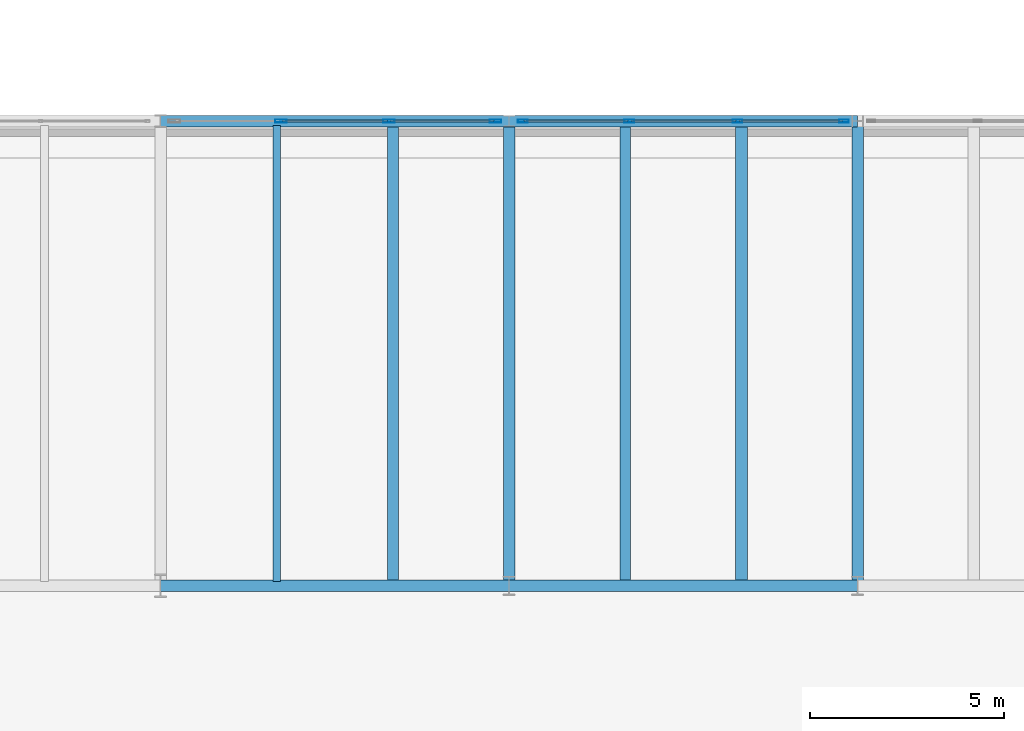
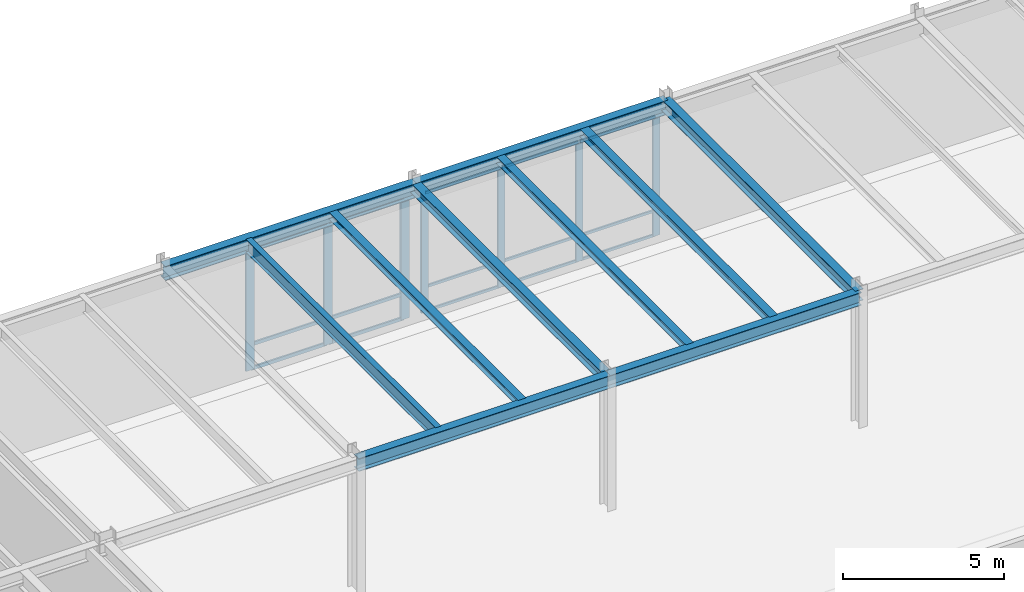
# One storey, part 66 of 143: 22 members, 10 beams, 2 elements without a shape of their own.
"""IFC4 building model written with IfcOpenShell, lengths in metres."""

import ifcopenshell
import ifcopenshell.guid

model = None  # the IFC model being written
_history = None  # IfcOwnerHistory: only IFC2X3 demands one
_inside = {}  # id of a spatial element -> (the spatial element, [elements in it])
_under = {}  # id of a project, library or spatial element -> (it, [spatial elements below it])
_declared = {}  # id of a project -> (the project, [libraries it declares])
_typed = {}  # id of a type object -> (the type object, [elements of that type])
_made_of = {}  # id of a material, layer set ... -> (it, [elements and type objects made of it])


def new_model(schema):
    """Start an empty IFC model of exactly this schema.

    Asked for "IFC4X3", IfcOpenShell would pick the latest addendum, in which some entities
    have other attributes; the version numbers below select the first issue.
    IFC2X3 requires an IfcOwnerHistory on every rooted entity: one is made here for all.
    """
    global model, _history
    if schema == "IFC4X3":
        model = ifcopenshell.file(schema_version=(4, 3, 0, 0))
    else:
        model = ifcopenshell.file(schema=schema)
    _inside.clear()
    _under.clear()
    _declared.clear()
    _typed.clear()
    _made_of.clear()
    _history = None
    if model.schema == "IFC2X3":
        org = make("IfcOrganization", Name="unknown")
        user = make(
            "IfcPersonAndOrganization",
            ThePerson=make("IfcPerson", FamilyName="unknown"),
            TheOrganization=org,
        )
        app = make(
            "IfcApplication",
            ApplicationDeveloper=org,
            Version="unknown",
            ApplicationFullName="unknown",
            ApplicationIdentifier="unknown",
        )
        _history = make(
            "IfcOwnerHistory",
            OwningUser=user,
            OwningApplication=app,
            ChangeAction="ADDED",
            CreationDate=0,
        )
    return model


def make(cls, **values):
    """One entity of the class cls with the attributes given. An attribute that is None is left unset."""
    return model.create_entity(
        cls, **{name: value for name, value in values.items() if value is not None}
    )


def rooted(cls, **values):
    """An entity with a GlobalId (a new one), such as an element, a storey or a relation."""
    return make(cls, GlobalId=ifcopenshell.guid.new(), OwnerHistory=_history, **values)


def si_unit(unit_type, name, prefix=None):
    """IfcSIUnit, for example si_unit("LENGTHUNIT", "METRE", prefix="MILLI")."""
    return make("IfcSIUnit", UnitType=unit_type, Prefix=prefix, Name=name)


def assignment(units):
    """IfcUnitAssignment: the units of a project."""
    return None if units is None else make("IfcUnitAssignment", Units=units)


def point(xyz):
    """IfcCartesianPoint."""
    return None if xyz is None else make("IfcCartesianPoint", Coordinates=xyz)


def direction(xyz):
    """IfcDirection."""
    return None if xyz is None else make("IfcDirection", DirectionRatios=xyz)


def frame(location, z_axis=None, x_axis=None):
    """IfcAxis2Placement3D, a coordinate frame: its origin and axes. An axis left out is left unset."""
    return make(
        "IfcAxis2Placement3D",
        Location=point(location),
        Axis=direction(z_axis),
        RefDirection=direction(x_axis),
    )


def frame_2d(location, x_axis=None):
    """IfcAxis2Placement2D, a coordinate frame in the plane: its origin and x axis."""
    return make(
        "IfcAxis2Placement2D", Location=point(location), RefDirection=direction(x_axis)
    )


def origin():
    """The frame at (0, 0, 0) with its axes left unset."""
    return frame((0.0, 0.0, 0.0))


def origin_2d():
    """The frame at (0, 0) in the plane with its x axis left unset."""
    return frame_2d((0.0, 0.0))


def place(relative_to, where):
    """IfcLocalPlacement: puts the frame where relative to a parent placement (None: the world)."""
    return make(
        "IfcLocalPlacement", PlacementRelTo=relative_to, RelativePlacement=where
    )


def context(
    kind, dimensions, precision=None, world=None, true_north=None, identifier=None
):
    """IfcGeometricRepresentationContext, for example the 3D "Model" context."""
    return make(
        "IfcGeometricRepresentationContext",
        ContextIdentifier=identifier,
        ContextType=kind,
        CoordinateSpaceDimension=dimensions,
        Precision=precision,
        WorldCoordinateSystem=world,
        TrueNorth=true_north,
    )


def subcontext(parent, identifier, kind, view, scale=None):
    """IfcGeometricRepresentationSubContext, for example "Body" below "Model"."""
    return make(
        "IfcGeometricRepresentationSubContext",
        ContextIdentifier=identifier,
        ContextType=kind,
        ParentContext=parent,
        TargetScale=scale,
        TargetView=view,
    )


def project(units=None, contexts=None):
    """IfcProject with its units and contexts."""
    return rooted(
        "IfcProject",
        Name="project",
        RepresentationContexts=contexts,
        UnitsInContext=assignment(units),
    )


def spatial(cls, under=None, at=None, **own):
    """A site, building, storey or space (cls), placed at a placement, below another one or the project."""
    s = rooted(cls, ObjectPlacement=at, **own)
    if under is not None:
        _under.setdefault(under.id(), (under, []))[1].append(s)
    return s


def profile(cls, at=None, kind="AREA", **sizes):
    """A parametric profile (cls). Its sizes go by their IFC names, for example OverallWidth=200.0."""
    return make(cls, ProfileType=kind, Position=at, **sizes)


def hollow_rectangle(**sizes):
    """IfcRectangleHollowProfileDef."""
    return profile("IfcRectangleHollowProfileDef", **sizes)


def i_section(**sizes):
    """IfcIShapeProfileDef."""
    return profile("IfcIShapeProfileDef", **sizes)


def extrude(swept, where, along, depth):
    """IfcExtrudedAreaSolid: the profile swept, set in the frame where, extruded along a direction by depth."""
    return make(
        "IfcExtrudedAreaSolid",
        SweptArea=swept,
        Position=where,
        ExtrudedDirection=direction(along),
        Depth=depth,
    )


def shape(context_of_items, identifier, shape_type, items):
    """IfcShapeRepresentation: the items that make up one representation, for example the "Body"."""
    return make(
        "IfcShapeRepresentation",
        ContextOfItems=context_of_items,
        RepresentationIdentifier=identifier,
        RepresentationType=shape_type,
        Items=items,
    )


def material(Name=None, Category=None):
    """IfcMaterial."""
    return make("IfcMaterial", Name=Name, Category=Category)


def layer(
    of_material, thickness, ventilated=None, Name=None, Category=None, Priority=None
):
    """IfcMaterialLayer: one layer of a wall or slab, of a material (None: an air gap)."""
    return make(
        "IfcMaterialLayer",
        Material=of_material,
        LayerThickness=thickness,
        IsVentilated=ventilated,
        Name=Name,
        Category=Category,
        Priority=Priority,
    )


def layer_set(layers, Name=None):
    """IfcMaterialLayerSet."""
    return make("IfcMaterialLayerSet", MaterialLayers=layers, LayerSetName=Name)


def material_profile(
    of_material, cross_section, Name=None, Category=None, Priority=None
):
    """IfcMaterialProfile: a cross section and its material."""
    return make(
        "IfcMaterialProfile",
        Name=Name,
        Material=of_material,
        Profile=cross_section,
        Priority=Priority,
        Category=Category,
    )


def profile_set(profiles, Name=None, composite=None):
    """IfcMaterialProfileSet."""
    return make(
        "IfcMaterialProfileSet",
        Name=Name,
        MaterialProfiles=profiles,
        CompositeProfile=composite,
    )


def made_of(thing, what):
    """Note that an element or type object is made of a material, layer set ...; save() writes the relation."""
    if what is not None:
        _made_of.setdefault(what.id(), (what, []))[1].append(thing)
    return thing


def type_object(cls, material=None, **own):
    """A type object (cls), such as IfcWallType, which elements share."""
    return made_of(rooted(cls, **own), material)


def element(
    cls,
    number,
    at=None,
    inside=None,
    cuts=None,
    type_object=None,
    material=None,
    context=None,
    identifier="Body",
    shape_type=None,
    held_by="IfcProductDefinitionShape",
    body=None,
    shapes=None,
    **own,
):
    """One element of the class cls, such as IfcWall. Its Tag is "e" and its number.

    at: its placement. inside: the storey or other place that contains it. cuts: it is an
    opening in that element (IfcRelVoidsElement). A single representation is given by context,
    identifier, shape_type and body (its items); several are given by shapes. held_by: the class
    of the entity that holds the representations. save() writes the other relations.
    """
    e = rooted(cls, Tag="e%d" % number, ObjectPlacement=at, **own)
    if body is not None:
        shapes = [shape(context, identifier, shape_type, body)]
    if shapes is not None:
        e.Representation = make(held_by, Representations=shapes)
    if inside is not None:
        _inside.setdefault(inside.id(), (inside, []))[1].append(e)
    if cuts is not None:
        rooted(
            "IfcRelVoidsElement", RelatingBuildingElement=cuts, RelatedOpeningElement=e
        )
    if type_object is not None:
        _typed.setdefault(type_object.id(), (type_object, []))[1].append(e)
    return made_of(e, material)


def aggregate(whole, parts):
    """IfcRelAggregates: a whole, such as a stair, and the parts it consists of."""
    return rooted("IfcRelAggregates", RelatingObject=whole, RelatedObjects=parts)


def save(model, path):
    """Write the relations noted so far, then the file.

    IfcRelAggregates (storeys below a building ...), IfcRelContainedInSpatialStructure (elements
    in a storey), IfcRelDefinesByType, IfcRelAssociatesMaterial and IfcRelDeclares: one each for
    every whole, place, type object, material and project.
    """
    for whole, parts in _under.values():
        aggregate(whole, parts)
    for where, things in _inside.values():
        rooted(
            "IfcRelContainedInSpatialStructure",
            RelatedElements=things,
            RelatingStructure=where,
        )
    for kind, things in _typed.values():
        rooted("IfcRelDefinesByType", RelatedObjects=things, RelatingType=kind)
    for what, things in _made_of.values():
        rooted("IfcRelAssociatesMaterial", RelatedObjects=things, RelatingMaterial=what)
    for by, libraries in _declared.values():
        rooted("IfcRelDeclares", RelatingContext=by, RelatedDefinitions=libraries)
    model.write(path)


model = new_model("IFC4")

# Units and contexts
model_context = context("Model", 3, precision=1e-05, world=origin(), true_north=direction((0.0, 1.0)))
body_context = subcontext(model_context, "Body", "Model", "MODEL_VIEW")
ifc_project = project(units=[si_unit("LENGTHUNIT", "METRE"), si_unit("AREAUNIT", "SQUARE_METRE"), si_unit("VOLUMEUNIT", "CUBIC_METRE"), si_unit("PLANEANGLEUNIT", "RADIAN"), si_unit("MASSUNIT", "GRAM", prefix="KILO")], contexts=[model_context])

# Site, building, storey
site_placement = place(None, origin())
site = spatial("IfcSite", under=ifc_project, at=site_placement, CompositionType="ELEMENT")
building_placement = place(site_placement, origin())
building = spatial("IfcBuilding", under=site, at=building_placement, Name="Montelvaro Courts of Justice", CompositionType="ELEMENT")
storey_placement = place(building_placement, origin())
storey = spatial("IfcBuildingStorey", under=building, at=storey_placement, Name="L00", CompositionType="ELEMENT", Elevation=0.0)

# Beams
ifc_material_1 = material(Name="Steel S355", Category="steel")
ifc_material_profile_1 = material_profile(ifc_material_1, i_section(OverallWidth=0.280029296875, OverallDepth=0.27001953125, WebThickness=0.008056640625, FlangeThickness=0.012939453125, at=origin_2d()), Name="HEA 280")
ifc_profile_set_1 = profile_set([ifc_material_profile_1], Name="Steel S355")
beam_type_1 = type_object("IfcBeamType", Name="Beam_HEA280", PredefinedType="BEAM", material=ifc_profile_set_1)
for number, where, z_axis, x_axis, name in (
    (1, (51.0, 96.110107421875, 4.945068359375), (0.0, 1.0, 0.0), (-1.0, 0.0, 0.0), "Beam B-14 L00"),
    (2, (57.0, 96.110107421875, 4.945068359375), (0.0, 1.0, 0.0), (-1.0, 0.0, 0.0), "Beam B-14 L00"),
):
    element("IfcBeam", number, at=place(storey_placement, frame(where, z_axis=z_axis, x_axis=x_axis)), inside=storey, type_object=beam_type_1, Name=name, PredefinedType="BEAM", context=body_context, shape_type="SweptSolid", body=[
        extrude(i_section(OverallWidth=0.280029296875, OverallDepth=0.27001953125, WebThickness=0.008056640625, FlangeThickness=0.012939453125, at=origin_2d()), origin(), (0.0, 0.0, 1.0), 11.77978515625),
    ])
ifc_material_profile_2 = material_profile(ifc_material_1, i_section(OverallWidth=0.300048828125, OverallDepth=0.31005859375, WebThickness=0.009033203125, FlangeThickness=0.015380859375, at=origin_2d()), Name="HEA 320")
ifc_profile_set_2 = profile_set([ifc_material_profile_2], Name="Steel S355")
beam_type_2 = type_object("IfcBeamType", Name="Beam_HEA320", PredefinedType="BEAM", material=ifc_profile_set_2)
beam_1_placement = place(storey_placement, frame((60.0, 96.110107421875, 4.925048828125), z_axis=(0.0, 1.0, 0.0), x_axis=(-1.0, 0.0, 0.0)))
element("IfcBeam", 3, at=beam_1_placement, inside=storey, type_object=beam_type_2, Name="Beam B-15 L00", PredefinedType="BEAM", context=body_context, shape_type="SweptSolid", body=[
    extrude(i_section(OverallWidth=0.300048828125, OverallDepth=0.31005859375, WebThickness=0.009033203125, FlangeThickness=0.015380859375, at=origin_2d()), origin(), (0.0, 0.0, 1.0), 11.77978515625),
])
ifc_material_profile_3 = material_profile(ifc_material_1, i_section(OverallWidth=0.300048828125, OverallDepth=0.389892578125, WebThickness=0.010986328125, FlangeThickness=0.01904296875, at=origin_2d()), Name="HEA 400")
ifc_profile_set_3 = profile_set([ifc_material_profile_3], Name="Steel S355")
beam_type_3 = type_object("IfcBeamType", Name="Beam_HEA400", PredefinedType="USERDEFINED", material=ifc_profile_set_3)
beam_2_placement = place(storey_placement, frame((54.0, 96.0, 4.885009765625), z_axis=(0.0, 1.0, 0.0), x_axis=(-1.0, 0.0, 0.0)))
element("IfcBeam", 4, at=beam_2_placement, inside=storey, type_object=beam_type_3, Name="Beam B-17 L00", ObjectType="GIRDER", PredefinedType="USERDEFINED", context=body_context, shape_type="SweptSolid", body=[
    extrude(i_section(OverallWidth=0.300048828125, OverallDepth=0.389892578125, WebThickness=0.010986328125, FlangeThickness=0.01904296875, at=origin_2d()), origin(), (0.0, 0.0, 1.0), 12.0),
])
ifc_material_profile_4 = material_profile(ifc_material_1, i_section(OverallWidth=0.300048828125, OverallDepth=0.43994140625, WebThickness=0.011474609375, FlangeThickness=0.02099609375, at=origin_2d()), Name="HEA 450")
ifc_profile_set_4 = profile_set([ifc_material_profile_4], Name="Steel S355")
beam_type_4 = type_object("IfcBeamType", Name="Beam_HEA450", PredefinedType="USERDEFINED", material=ifc_profile_set_4)
beam_3_placement = place(storey_placement, frame((63.0, 96.0, 4.860107421875), z_axis=(0.0, 1.0, 0.0), x_axis=(-1.0, 0.0, 0.0)))
element("IfcBeam", 5, at=beam_3_placement, inside=storey, type_object=beam_type_4, Name="Beam B-18 L00", ObjectType="GIRDER", PredefinedType="USERDEFINED", context=body_context, shape_type="SweptSolid", body=[
    extrude(i_section(OverallWidth=0.300048828125, OverallDepth=0.43994140625, WebThickness=0.011474609375, FlangeThickness=0.02099609375, at=origin_2d()), origin(), (0.0, 0.0, 1.0), 12.0),
])
ifc_material_profile_5 = material_profile(ifc_material_1, i_section(OverallWidth=0.300048828125, OverallDepth=0.489990234375, WebThickness=0.011962890625, FlangeThickness=0.02294921875, at=origin_2d()), Name="HEA 500")
ifc_profile_set_5 = profile_set([ifc_material_profile_5], Name="Steel S355")
beam_type_5 = type_object("IfcBeamType", Name="Beam_HEA500", PredefinedType="USERDEFINED", material=ifc_profile_set_5)
for number, where, z_axis, x_axis, name in (
    (6, (45.0, 96.0, 4.8349609375), (1.0, 0.0, 0.0), (0.0, 1.0, 0.0), "Beam B-19 L00"),
    (7, (54.0, 96.0, 4.8349609375), (1.0, 0.0, 0.0), (0.0, 1.0, 0.0), "Beam B-19 L00"),
):
    element("IfcBeam", number, at=place(storey_placement, frame(where, z_axis=z_axis, x_axis=x_axis)), inside=storey, type_object=beam_type_5, Name=name, ObjectType="GIRDER", PredefinedType="USERDEFINED", context=body_context, shape_type="SweptSolid", body=[
        extrude(i_section(OverallWidth=0.300048828125, OverallDepth=0.489990234375, WebThickness=0.011962890625, FlangeThickness=0.02294921875, at=origin_2d()), origin(), (0.0, 0.0, 1.0), 9.0),
    ])
ifc_material_profile_6 = material_profile(ifc_material_1, i_section(OverallWidth=0.300048828125, OverallDepth=0.5400390625, WebThickness=0.012451171875, FlangeThickness=0.02392578125, at=origin_2d()), Name="HEA 550")
ifc_profile_set_6 = profile_set([ifc_material_profile_6], Name="Steel S355")
beam_type_6 = type_object("IfcBeamType", Name="Beam_HEA550", PredefinedType="USERDEFINED", material=ifc_profile_set_6)
for number, where, z_axis, x_axis, name in (
    (8, (45.0, 108.0, 4.81005859375), (1.0, 0.0, 0.0), (0.0, 1.0, 0.0), "Beam B-20 L00"),
    (9, (54.0, 108.0, 4.81005859375), (1.0, 0.0, 0.0), (0.0, 1.0, 0.0), "Beam B-20 L00"),
):
    element("IfcBeam", number, at=place(storey_placement, frame(where, z_axis=z_axis, x_axis=x_axis)), inside=storey, type_object=beam_type_6, Name=name, ObjectType="GIRDER", PredefinedType="USERDEFINED", context=body_context, shape_type="SweptSolid", body=[
        extrude(i_section(OverallWidth=0.300048828125, OverallDepth=0.5400390625, WebThickness=0.012451171875, FlangeThickness=0.02392578125, at=origin_2d()), origin(), (0.0, 0.0, 1.0), 9.0),
    ])
ifc_material_profile_7 = material_profile(ifc_material_1, i_section(OverallWidth=0.199951171875, OverallDepth=0.5, WebThickness=0.01025390625, FlangeThickness=0.01611328125, at=origin_2d()), Name="IPE 500")
ifc_profile_set_7 = profile_set([ifc_material_profile_7], Name="Steel S355")
beam_type_7 = type_object("IfcBeamType", Name="Beam_IPE500", PredefinedType="BEAM", material=ifc_profile_set_7)
beam_4_placement = place(storey_placement, frame((48.0, 96.110107421875, 4.830078125), z_axis=(0.0, 1.0, 0.0), x_axis=(-1.0, 0.0, 0.0)))
element("IfcBeam", 10, at=beam_4_placement, inside=storey, type_object=beam_type_7, Name="Beam B-10 L00", PredefinedType="BEAM", context=body_context, shape_type="SweptSolid", body=[
    extrude(i_section(OverallWidth=0.199951171875, OverallDepth=0.5, WebThickness=0.01025390625, FlangeThickness=0.01611328125, at=origin_2d()), origin(), (0.0, 0.0, 1.0), 11.77978515625),
])

# Curtain wall, members
ifc_material_2 = material(Name="Anodised aluminium EN AW-6063", Category="aluminium")
ifc_layer = layer(ifc_material_2, 0.159912109375)
ifc_layer_set = layer_set([ifc_layer], Name="Anodised aluminium EN AW-6063")
curtain_wall_type = type_object("IfcCurtainWallType", Name="CurtainWall_05_837x508", PredefinedType="USERDEFINED", material=ifc_layer_set)
curtain_wall_1_placement = place(storey_placement, origin())
curtain_wall_1 = element("IfcCurtainWall", 11, at=curtain_wall_1_placement, inside=storey, type_object=curtain_wall_type, Name="Curtain Wall CW-05 (L00)", ObjectType="CURTAIN WALL", PredefinedType="USERDEFINED")
ifc_material_profile_8 = material_profile(ifc_material_2, hollow_rectangle(XDim=0.074951171875, YDim=0.25, WallThickness=0.005615234375, at=origin_2d()), Name="ALU-M 75x250")
ifc_profile_set_8 = profile_set([ifc_material_profile_8], Name="Anodised aluminium EN AW-6063")
member_type_1 = type_object("IfcMemberType", Name="CurtainWall_Mullion_75x250", PredefinedType="MULLION", material=ifc_profile_set_8)
member_1_placement = place(storey_placement, frame((62.6474609375, 108.0, 0.0), z_axis=(0.0, 0.0, 1.0), x_axis=(0.0, -1.0, 0.0)))
member_1 = element("IfcMember", 12, at=member_1_placement, type_object=member_type_1, Name="CW-05 mullion 1", PredefinedType="MULLION", context=body_context, shape_type="SweptSolid", body=[
    extrude(hollow_rectangle(XDim=0.074951171875, YDim=0.25, WallThickness=0.005615234375, at=origin_2d()), origin(), (0.0, 0.0, 1.0), 4.534912109375),
])
member_2_placement = place(storey_placement, frame((59.89501953125, 108.0, 0.0), z_axis=(0.0, 0.0, 1.0), x_axis=(0.0, -1.0, 0.0)))
member_2 = element("IfcMember", 13, at=member_2_placement, type_object=member_type_1, Name="CW-05 mullion 2", PredefinedType="MULLION", context=body_context, shape_type="SweptSolid", body=[
    extrude(hollow_rectangle(XDim=0.074951171875, YDim=0.25, WallThickness=0.005615234375, at=origin_2d()), origin(), (0.0, 0.0, 1.0), 4.534912109375),
])
member_3_placement = place(storey_placement, frame((57.10498046875, 108.0, 0.0), z_axis=(0.0, 0.0, 1.0), x_axis=(0.0, -1.0, 0.0)))
member_3 = element("IfcMember", 14, at=member_3_placement, type_object=member_type_1, Name="CW-05 mullion 3", PredefinedType="MULLION", context=body_context, shape_type="SweptSolid", body=[
    extrude(hollow_rectangle(XDim=0.074951171875, YDim=0.25, WallThickness=0.005615234375, at=origin_2d()), origin(), (0.0, 0.0, 1.0), 4.534912109375),
])
member_4_placement = place(storey_placement, frame((54.3525390625, 108.0, 0.0), z_axis=(0.0, 0.0, 1.0), x_axis=(0.0, -1.0, 0.0)))
member_4 = element("IfcMember", 15, at=member_4_placement, type_object=member_type_1, Name="CW-05 mullion 4", PredefinedType="MULLION", context=body_context, shape_type="SweptSolid", body=[
    extrude(hollow_rectangle(XDim=0.074951171875, YDim=0.25, WallThickness=0.005615234375, at=origin_2d()), origin(), (0.0, 0.0, 1.0), 4.534912109375),
])

curtain_wall_2_placement = place(storey_placement, origin())
curtain_wall_2 = element("IfcCurtainWall", 16, at=curtain_wall_2_placement, inside=storey, type_object=curtain_wall_type, Name="Curtain Wall CW-05 (L00)", ObjectType="CURTAIN WALL", PredefinedType="USERDEFINED")
ifc_material_profile_9 = material_profile(ifc_material_2, hollow_rectangle(XDim=0.074951171875, YDim=0.300048828125, WallThickness=0.006103515625, at=origin_2d()), Name="ALU-M 75x300")
ifc_profile_set_9 = profile_set([ifc_material_profile_9], Name="Anodised aluminium EN AW-6063")
member_type_2 = type_object("IfcMemberType", Name="CurtainWall_Mullion_75x300", PredefinedType="MULLION", material=ifc_profile_set_9)
member_5_placement = place(storey_placement, frame((53.6474609375, 108.0, 0.0), z_axis=(0.0, 0.0, 1.0), x_axis=(0.0, -1.0, 0.0)))
member_5 = element("IfcMember", 17, at=member_5_placement, type_object=member_type_2, Name="CW-05 mullion 1", PredefinedType="MULLION", context=body_context, shape_type="SweptSolid", body=[
    extrude(hollow_rectangle(XDim=0.074951171875, YDim=0.300048828125, WallThickness=0.006103515625, at=origin_2d()), origin(), (0.0, 0.0, 1.0), 4.534912109375),
])
member_6_placement = place(storey_placement, frame((50.89501953125, 108.0, 0.0), z_axis=(0.0, 0.0, 1.0), x_axis=(0.0, -1.0, 0.0)))
member_6 = element("IfcMember", 18, at=member_6_placement, type_object=member_type_2, Name="CW-05 mullion 2", PredefinedType="MULLION", context=body_context, shape_type="SweptSolid", body=[
    extrude(hollow_rectangle(XDim=0.074951171875, YDim=0.300048828125, WallThickness=0.006103515625, at=origin_2d()), origin(), (0.0, 0.0, 1.0), 4.534912109375),
])
member_7_placement = place(storey_placement, frame((48.10498046875, 108.0, 0.0), z_axis=(0.0, 0.0, 1.0), x_axis=(0.0, -1.0, 0.0)))
member_7 = element("IfcMember", 19, at=member_7_placement, type_object=member_type_2, Name="CW-05 mullion 3", PredefinedType="MULLION", context=body_context, shape_type="SweptSolid", body=[
    extrude(hollow_rectangle(XDim=0.074951171875, YDim=0.300048828125, WallThickness=0.006103515625, at=origin_2d()), origin(), (0.0, 0.0, 1.0), 4.534912109375),
])

# Member
ifc_material_profile_10 = material_profile(ifc_material_2, hollow_rectangle(XDim=0.06005859375, YDim=0.10009765625, WallThickness=0.00341796875, at=origin_2d()), Name="ALU-T 60x100")
ifc_profile_set_10 = profile_set([ifc_material_profile_10], Name="Anodised aluminium EN AW-6063")
member_type_3 = type_object("IfcMemberType", Name="CurtainWall_Transom_60x100", PredefinedType="USERDEFINED", material=ifc_profile_set_10)
member_8_placement = place(storey_placement, frame((62.610107421875, 108.0, 0.030029296875), z_axis=(-1.0, 0.0, 0.0), x_axis=(0.0, -1.0, 0.0)))
member_8 = element("IfcMember", 20, at=member_8_placement, type_object=member_type_3, Name="CW-05 transom 1.1", ObjectType="TRANSOM", PredefinedType="USERDEFINED", context=body_context, shape_type="SweptSolid", body=[
    extrude(hollow_rectangle(XDim=0.06005859375, YDim=0.10009765625, WallThickness=0.00341796875, at=origin_2d()), origin(), (0.0, 0.0, 1.0), 2.677490234375),
])

member_9_placement = place(storey_placement, frame((62.610107421875, 108.0, 0.949951171875), z_axis=(-1.0, 0.0, 0.0), x_axis=(0.0, -1.0, 0.0)))
member_9 = element("IfcMember", 21, at=member_9_placement, type_object=member_type_3, Name="CW-05 transom 1.2", ObjectType="TRANSOM", PredefinedType="USERDEFINED", context=body_context, shape_type="SweptSolid", body=[
    extrude(hollow_rectangle(XDim=0.06005859375, YDim=0.10009765625, WallThickness=0.00341796875, at=origin_2d()), origin(), (0.0, 0.0, 1.0), 2.677490234375),
])

member_10_placement = place(storey_placement, frame((62.610107421875, 108.0, 4.5048828125), z_axis=(-1.0, 0.0, 0.0), x_axis=(0.0, -1.0, 0.0)))
member_10 = element("IfcMember", 22, at=member_10_placement, type_object=member_type_3, Name="CW-05 transom 1.3", ObjectType="TRANSOM", PredefinedType="USERDEFINED", context=body_context, shape_type="SweptSolid", body=[
    extrude(hollow_rectangle(XDim=0.06005859375, YDim=0.10009765625, WallThickness=0.00341796875, at=origin_2d()), origin(), (0.0, 0.0, 1.0), 2.677490234375),
])

member_11_placement = place(storey_placement, frame((59.857421875, 108.0, 0.030029296875), z_axis=(-1.0, 0.0, 0.0), x_axis=(0.0, -1.0, 0.0)))
member_11 = element("IfcMember", 23, at=member_11_placement, type_object=member_type_3, Name="CW-05 transom 2.1", ObjectType="TRANSOM", PredefinedType="USERDEFINED", context=body_context, shape_type="SweptSolid", body=[
    extrude(hollow_rectangle(XDim=0.06005859375, YDim=0.10009765625, WallThickness=0.00341796875, at=origin_2d()), origin(), (0.0, 0.0, 1.0), 2.71484375),
])

member_12_placement = place(storey_placement, frame((59.857421875, 108.0, 0.949951171875), z_axis=(-1.0, 0.0, 0.0), x_axis=(0.0, -1.0, 0.0)))
member_12 = element("IfcMember", 24, at=member_12_placement, type_object=member_type_3, Name="CW-05 transom 2.2", ObjectType="TRANSOM", PredefinedType="USERDEFINED", context=body_context, shape_type="SweptSolid", body=[
    extrude(hollow_rectangle(XDim=0.06005859375, YDim=0.10009765625, WallThickness=0.00341796875, at=origin_2d()), origin(), (0.0, 0.0, 1.0), 2.71484375),
])

member_13_placement = place(storey_placement, frame((59.857421875, 108.0, 4.5048828125), z_axis=(-1.0, 0.0, 0.0), x_axis=(0.0, -1.0, 0.0)))
member_13 = element("IfcMember", 25, at=member_13_placement, type_object=member_type_3, Name="CW-05 transom 2.3", ObjectType="TRANSOM", PredefinedType="USERDEFINED", context=body_context, shape_type="SweptSolid", body=[
    extrude(hollow_rectangle(XDim=0.06005859375, YDim=0.10009765625, WallThickness=0.00341796875, at=origin_2d()), origin(), (0.0, 0.0, 1.0), 2.71484375),
])

member_14_placement = place(storey_placement, frame((57.0673828125, 108.0, 0.030029296875), z_axis=(-1.0, 0.0, 0.0), x_axis=(0.0, -1.0, 0.0)))
member_14 = element("IfcMember", 26, at=member_14_placement, type_object=member_type_3, Name="CW-05 transom 3.1", ObjectType="TRANSOM", PredefinedType="USERDEFINED", context=body_context, shape_type="SweptSolid", body=[
    extrude(hollow_rectangle(XDim=0.06005859375, YDim=0.10009765625, WallThickness=0.00341796875, at=origin_2d()), origin(), (0.0, 0.0, 1.0), 2.677490234375),
])

member_15_placement = place(storey_placement, frame((57.0673828125, 108.0, 0.949951171875), z_axis=(-1.0, 0.0, 0.0), x_axis=(0.0, -1.0, 0.0)))
member_15 = element("IfcMember", 27, at=member_15_placement, type_object=member_type_3, Name="CW-05 transom 3.2", ObjectType="TRANSOM", PredefinedType="USERDEFINED", context=body_context, shape_type="SweptSolid", body=[
    extrude(hollow_rectangle(XDim=0.06005859375, YDim=0.10009765625, WallThickness=0.00341796875, at=origin_2d()), origin(), (0.0, 0.0, 1.0), 2.677490234375),
])

member_16_placement = place(storey_placement, frame((57.0673828125, 108.0, 4.5048828125), z_axis=(-1.0, 0.0, 0.0), x_axis=(0.0, -1.0, 0.0)))
member_16 = element("IfcMember", 28, at=member_16_placement, type_object=member_type_3, Name="CW-05 transom 3.3", ObjectType="TRANSOM", PredefinedType="USERDEFINED", context=body_context, shape_type="SweptSolid", body=[
    extrude(hollow_rectangle(XDim=0.06005859375, YDim=0.10009765625, WallThickness=0.00341796875, at=origin_2d()), origin(), (0.0, 0.0, 1.0), 2.677490234375),
])

aggregate(curtain_wall_1, [member_1, member_2, member_3, member_4, member_8, member_9, member_10, member_11, member_12, member_13, member_14, member_15, member_16])

ifc_material_profile_11 = material_profile(ifc_material_2, hollow_rectangle(XDim=0.06005859375, YDim=0.1298828125, WallThickness=0.00390625, at=origin_2d()), Name="ALU-T 60x130")
ifc_profile_set_11 = profile_set([ifc_material_profile_11], Name="Anodised aluminium EN AW-6063")
member_type_4 = type_object("IfcMemberType", Name="CurtainWall_Transom_60x130", PredefinedType="USERDEFINED", material=ifc_profile_set_11)
member_17_placement = place(storey_placement, frame((53.610107421875, 108.0, 0.030029296875), z_axis=(-1.0, 0.0, 0.0), x_axis=(0.0, -1.0, 0.0)))
member_17 = element("IfcMember", 29, at=member_17_placement, type_object=member_type_4, Name="CW-05 transom 1.1", ObjectType="TRANSOM", PredefinedType="USERDEFINED", context=body_context, shape_type="SweptSolid", body=[
    extrude(hollow_rectangle(XDim=0.06005859375, YDim=0.1298828125, WallThickness=0.00390625, at=origin_2d()), origin(), (0.0, 0.0, 1.0), 2.677490234375),
])

member_18_placement = place(storey_placement, frame((53.610107421875, 108.0, 0.949951171875), z_axis=(-1.0, 0.0, 0.0), x_axis=(0.0, -1.0, 0.0)))
member_18 = element("IfcMember", 30, at=member_18_placement, type_object=member_type_4, Name="CW-05 transom 1.2", ObjectType="TRANSOM", PredefinedType="USERDEFINED", context=body_context, shape_type="SweptSolid", body=[
    extrude(hollow_rectangle(XDim=0.06005859375, YDim=0.1298828125, WallThickness=0.00390625, at=origin_2d()), origin(), (0.0, 0.0, 1.0), 2.677490234375),
])

member_19_placement = place(storey_placement, frame((53.610107421875, 108.0, 4.5048828125), z_axis=(-1.0, 0.0, 0.0), x_axis=(0.0, -1.0, 0.0)))
member_19 = element("IfcMember", 31, at=member_19_placement, type_object=member_type_4, Name="CW-05 transom 1.3", ObjectType="TRANSOM", PredefinedType="USERDEFINED", context=body_context, shape_type="SweptSolid", body=[
    extrude(hollow_rectangle(XDim=0.06005859375, YDim=0.1298828125, WallThickness=0.00390625, at=origin_2d()), origin(), (0.0, 0.0, 1.0), 2.677490234375),
])

member_20_placement = place(storey_placement, frame((50.857421875, 108.0, 0.030029296875), z_axis=(-1.0, 0.0, 0.0), x_axis=(0.0, -1.0, 0.0)))
member_20 = element("IfcMember", 32, at=member_20_placement, type_object=member_type_4, Name="CW-05 transom 2.1", ObjectType="TRANSOM", PredefinedType="USERDEFINED", context=body_context, shape_type="SweptSolid", body=[
    extrude(hollow_rectangle(XDim=0.06005859375, YDim=0.1298828125, WallThickness=0.00390625, at=origin_2d()), origin(), (0.0, 0.0, 1.0), 2.71484375),
])

member_21_placement = place(storey_placement, frame((50.857421875, 108.0, 0.949951171875), z_axis=(-1.0, 0.0, 0.0), x_axis=(0.0, -1.0, 0.0)))
member_21 = element("IfcMember", 33, at=member_21_placement, type_object=member_type_4, Name="CW-05 transom 2.2", ObjectType="TRANSOM", PredefinedType="USERDEFINED", context=body_context, shape_type="SweptSolid", body=[
    extrude(hollow_rectangle(XDim=0.06005859375, YDim=0.1298828125, WallThickness=0.00390625, at=origin_2d()), origin(), (0.0, 0.0, 1.0), 2.71484375),
])

member_22_placement = place(storey_placement, frame((50.857421875, 108.0, 4.5048828125), z_axis=(-1.0, 0.0, 0.0), x_axis=(0.0, -1.0, 0.0)))
member_22 = element("IfcMember", 34, at=member_22_placement, type_object=member_type_4, Name="CW-05 transom 2.3", ObjectType="TRANSOM", PredefinedType="USERDEFINED", context=body_context, shape_type="SweptSolid", body=[
    extrude(hollow_rectangle(XDim=0.06005859375, YDim=0.1298828125, WallThickness=0.00390625, at=origin_2d()), origin(), (0.0, 0.0, 1.0), 2.71484375),
])

aggregate(curtain_wall_2, [member_5, member_6, member_7, member_17, member_18, member_19, member_20, member_21, member_22])

save(model, "model.ifc")
